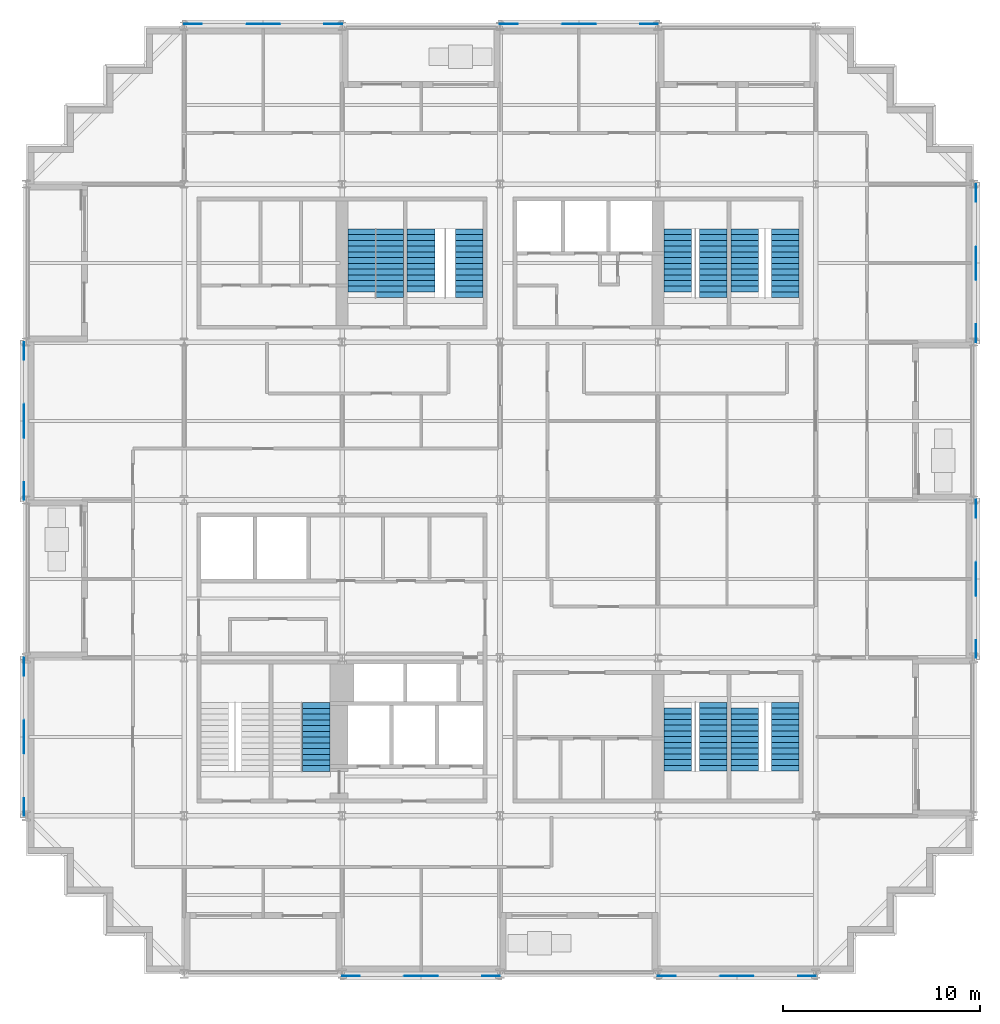
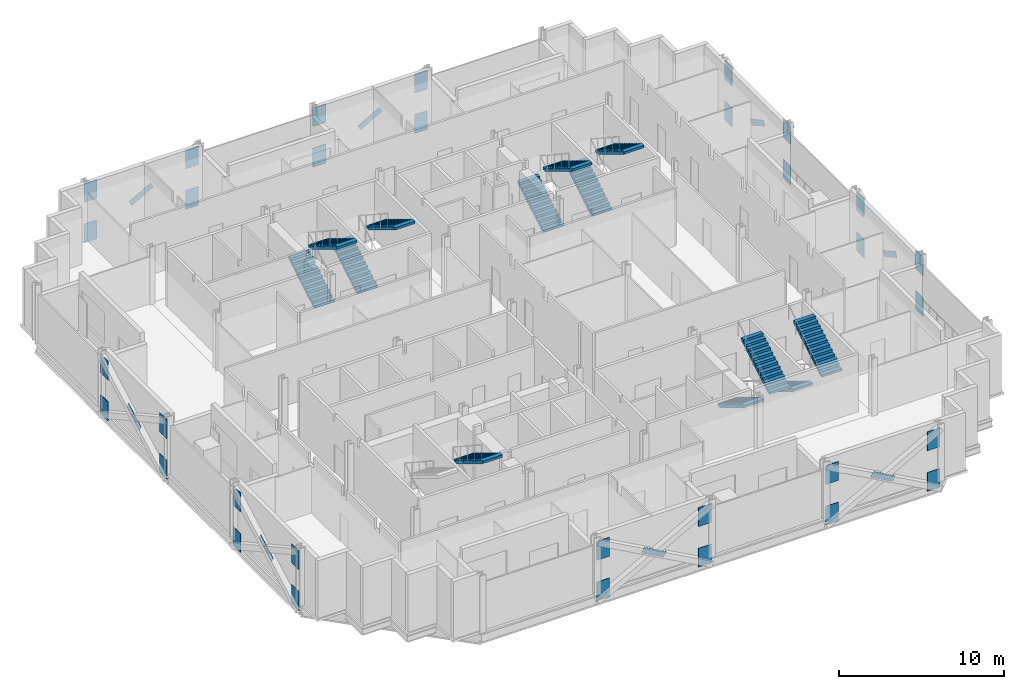
# One storey, part 12 of 15: 40 discrete accessories, 13 stair flights, 7 elements without a shape of their own.
"""IFC4 building model written with IfcOpenShell, lengths in metres."""

from ifc_helpers import new_model, si_unit, direction, frame, origin, origin_2d, place, context, subcontext, project, spatial, polyline, rectangle, outline, extrude, material, material_profile, profile_set, type_object, element, aggregate, save


model = new_model("IFC4")

# Units and contexts
model_context = context("Model", 3, precision=1e-05, world=origin(), true_north=direction((0.0, 1.0)))
body_context = subcontext(model_context, "Body", "Model", "MODEL_VIEW")
ifc_project = project(units=[si_unit("LENGTHUNIT", "METRE"), si_unit("AREAUNIT", "SQUARE_METRE"), si_unit("VOLUMEUNIT", "CUBIC_METRE"), si_unit("PLANEANGLEUNIT", "RADIAN"), si_unit("MASSUNIT", "GRAM", prefix="KILO")], contexts=[model_context])

# Site, building, storey
site_placement = place(None, origin())
site = spatial("IfcSite", under=ifc_project, at=site_placement, CompositionType="ELEMENT")
building_placement = place(site_placement, origin())
building = spatial("IfcBuilding", under=site, at=building_placement, Name="Immortelle Media Tower", CompositionType="ELEMENT")
storey_placement = place(building_placement, frame((0.0, 0.0, 105.199951171875)))
storey = spatial("IfcBuildingStorey", under=building, at=storey_placement, Name="L20", CompositionType="ELEMENT", Elevation=105.199951171875)

# Stair, stair flight
ifc_material_1 = material(Name="Steel ASTM A992 Gr 50", Category="steel")
stair_type = type_object("IfcStairType", Name="Stair with flights", PredefinedType="DOUBLE_RETURN_STAIR", material=ifc_material_1)
stair_1_placement = place(storey_placement, origin())
stair_1 = element("IfcStair", 1, at=stair_1_placement, inside=storey, type_object=stair_type, Name="Exit stair SW2", PredefinedType="DOUBLE_RETURN_STAIR")
stair_flight_type = type_object("IfcStairFlightType", Name="Stair flight 1400", PredefinedType="STRAIGHT", material=ifc_material_1)
stair_flight_1_placement = place(storey_placement, frame((14.699951171875, 13.72998046875, 2.112060546875), z_axis=(0.0, 0.0, 1.0), x_axis=(0.0, -1.0, 0.0)))
stair_flight_1 = element("IfcStairFlight", 2, at=stair_flight_1_placement, type_object=stair_flight_type, Name="ST SW2 flight 2", NumberOfRisers=13, NumberOfTreads=12, PredefinedType="STRAIGHT", RiserHeight=0.176, TreadLength=0.29, context=body_context, shape_type="SweptSolid", body=[
    extrude(outline(polyline([(0.0, 0.0), (0.0, 0.176025390625), (0.2900390625, 0.176025390625), (0.2900390625, 0.35205078125), (0.580078125, 0.35205078125), (0.580078125, 0.528076171875), (0.8701171875, 0.528076171875), (0.8701171875, 0.7041015625), (1.159912109375, 0.7041015625), (1.159912109375, 0.8798828125), (1.449951171875, 0.8798828125), (1.449951171875, 1.055908203125), (1.739990234375, 1.055908203125), (1.739990234375, 1.23193359375), (2.030029296875, 1.23193359375), (2.030029296875, 1.407958984375), (2.320068359375, 1.407958984375), (2.320068359375, 1.583984375), (2.610107421875, 1.583984375), (2.610107421875, 1.760009765625), (2.89990234375, 1.760009765625), (2.89990234375, 1.93603515625), (3.18994140625, 1.93603515625), (3.18994140625, 2.112060546875), (3.47998046875, 2.112060546875), (3.47998046875, 2.2880859375), (3.47998046875, 1.936767578125), (0.288818359375, 0.0), (0.0, 0.0)])), frame((0.0, 0.699951171875, 0.0), z_axis=(0.0, -1.0, 0.0), x_axis=(1.0, 0.0, 0.0)), (0.0, 0.0, 1.0), 1.39990234375),
])
aggregate(stair_1, [stair_flight_1])

# Stair, stair flights
stair_2_placement = place(storey_placement, origin())
stair_2 = element("IfcStair", 3, at=stair_2_placement, inside=storey, type_object=stair_type, Name="Exit stair SE1", PredefinedType="DOUBLE_RETURN_STAIR")
stair_flight_2_placement = place(storey_placement, frame((33.0, 13.4599609375, 0.0), z_axis=(0.0, 0.0, 1.0), x_axis=(0.0, -1.0, 0.0)))
stair_flight_2 = element("IfcStairFlight", 4, at=stair_flight_2_placement, type_object=stair_flight_type, Name="ST SE1 flight 1", NumberOfRisers=12, NumberOfTreads=11, PredefinedType="STRAIGHT", RiserHeight=0.176, TreadLength=0.29, context=body_context, shape_type="SweptSolid", body=[
    extrude(outline(polyline([(0.0, 0.0), (0.0, 0.176025390625), (0.2900390625, 0.176025390625), (0.2900390625, 0.35205078125), (0.580078125, 0.35205078125), (0.580078125, 0.528076171875), (0.8701171875, 0.528076171875), (0.8701171875, 0.7041015625), (1.159912109375, 0.7041015625), (1.159912109375, 0.8798828125), (1.449951171875, 0.8798828125), (1.449951171875, 1.055908203125), (1.739990234375, 1.055908203125), (1.739990234375, 1.23193359375), (2.030029296875, 1.23193359375), (2.030029296875, 1.407958984375), (2.320068359375, 1.407958984375), (2.320068359375, 1.583984375), (2.610107421875, 1.583984375), (2.610107421875, 1.760009765625), (2.89990234375, 1.760009765625), (2.89990234375, 1.93603515625), (3.18994140625, 1.93603515625), (3.18994140625, 2.112060546875), (3.18994140625, 1.7607421875), (0.288818359375, 0.0), (0.0, 0.0)])), frame((0.0, 0.699951171875, 0.0), z_axis=(0.0, -1.0, 0.0), x_axis=(1.0, 0.0, 0.0)), (0.0, 0.0, 1.0), 1.39990234375),
])
stair_flight_3_placement = place(storey_placement, frame((34.800048828125, 10.27001953125, 2.112060546875), z_axis=(0.0, 0.0, 1.0), x_axis=(0.0, 1.0, 0.0)))
stair_flight_3 = element("IfcStairFlight", 5, at=stair_flight_3_placement, type_object=stair_flight_type, Name="ST SE1 flight 2", NumberOfRisers=13, NumberOfTreads=12, PredefinedType="STRAIGHT", RiserHeight=0.176, TreadLength=0.29, context=body_context, shape_type="SweptSolid", body=[
    extrude(outline(polyline([(0.0, 0.0), (0.0, 0.176025390625), (0.2900390625, 0.176025390625), (0.2900390625, 0.35205078125), (0.580078125, 0.35205078125), (0.580078125, 0.528076171875), (0.8701171875, 0.528076171875), (0.8701171875, 0.7041015625), (1.159912109375, 0.7041015625), (1.159912109375, 0.8798828125), (1.449951171875, 0.8798828125), (1.449951171875, 1.055908203125), (1.739990234375, 1.055908203125), (1.739990234375, 1.23193359375), (2.030029296875, 1.23193359375), (2.030029296875, 1.407958984375), (2.320068359375, 1.407958984375), (2.320068359375, 1.583984375), (2.610107421875, 1.583984375), (2.610107421875, 1.760009765625), (2.89990234375, 1.760009765625), (2.89990234375, 1.93603515625), (3.18994140625, 1.93603515625), (3.18994140625, 2.112060546875), (3.47998046875, 2.112060546875), (3.47998046875, 2.2880859375), (3.47998046875, 1.936767578125), (0.288818359375, 0.0), (0.0, 0.0)])), frame((0.0, 0.699951171875, 0.0), z_axis=(0.0, -1.0, 0.0), x_axis=(1.0, 0.0, 0.0)), (0.0, 0.0, 1.0), 1.39990234375),
])
aggregate(stair_2, [stair_flight_2, stair_flight_3])

stair_3_placement = place(storey_placement, origin())
stair_3 = element("IfcStair", 6, at=stair_3_placement, inside=storey, type_object=stair_type, Name="Exit stair SE2", PredefinedType="DOUBLE_RETURN_STAIR")
stair_flight_4_placement = place(storey_placement, frame((36.39990234375, 13.4599609375, 0.0), z_axis=(0.0, 0.0, 1.0), x_axis=(0.0, -1.0, 0.0)))
stair_flight_4 = element("IfcStairFlight", 7, at=stair_flight_4_placement, type_object=stair_flight_type, Name="ST SE2 flight 1", NumberOfRisers=12, NumberOfTreads=11, PredefinedType="STRAIGHT", RiserHeight=0.176, TreadLength=0.29, context=body_context, shape_type="SweptSolid", body=[
    extrude(outline(polyline([(0.0, 0.0), (0.0, 0.176025390625), (0.2900390625, 0.176025390625), (0.2900390625, 0.35205078125), (0.580078125, 0.35205078125), (0.580078125, 0.528076171875), (0.8701171875, 0.528076171875), (0.8701171875, 0.7041015625), (1.159912109375, 0.7041015625), (1.159912109375, 0.8798828125), (1.449951171875, 0.8798828125), (1.449951171875, 1.055908203125), (1.739990234375, 1.055908203125), (1.739990234375, 1.23193359375), (2.030029296875, 1.23193359375), (2.030029296875, 1.407958984375), (2.320068359375, 1.407958984375), (2.320068359375, 1.583984375), (2.610107421875, 1.583984375), (2.610107421875, 1.760009765625), (2.89990234375, 1.760009765625), (2.89990234375, 1.93603515625), (3.18994140625, 1.93603515625), (3.18994140625, 2.112060546875), (3.18994140625, 1.7607421875), (0.288818359375, 0.0), (0.0, 0.0)])), frame((0.0, 0.699951171875, 0.0), z_axis=(0.0, -1.0, 0.0), x_axis=(1.0, 0.0, 0.0)), (0.0, 0.0, 1.0), 1.39990234375),
])
stair_flight_5_placement = place(storey_placement, frame((38.449951171875, 10.27001953125, 2.112060546875), z_axis=(0.0, 0.0, 1.0), x_axis=(0.0, 1.0, 0.0)))
stair_flight_5 = element("IfcStairFlight", 8, at=stair_flight_5_placement, type_object=stair_flight_type, Name="ST SE2 flight 2", NumberOfRisers=13, NumberOfTreads=12, PredefinedType="STRAIGHT", RiserHeight=0.176, TreadLength=0.29, context=body_context, shape_type="SweptSolid", body=[
    extrude(outline(polyline([(0.0, 0.0), (0.0, 0.176025390625), (0.2900390625, 0.176025390625), (0.2900390625, 0.35205078125), (0.580078125, 0.35205078125), (0.580078125, 0.528076171875), (0.8701171875, 0.528076171875), (0.8701171875, 0.7041015625), (1.159912109375, 0.7041015625), (1.159912109375, 0.8798828125), (1.449951171875, 0.8798828125), (1.449951171875, 1.055908203125), (1.739990234375, 1.055908203125), (1.739990234375, 1.23193359375), (2.030029296875, 1.23193359375), (2.030029296875, 1.407958984375), (2.320068359375, 1.407958984375), (2.320068359375, 1.583984375), (2.610107421875, 1.583984375), (2.610107421875, 1.760009765625), (2.89990234375, 1.760009765625), (2.89990234375, 1.93603515625), (3.18994140625, 1.93603515625), (3.18994140625, 2.112060546875), (3.47998046875, 2.112060546875), (3.47998046875, 2.2880859375), (3.47998046875, 1.936767578125), (0.288818359375, 0.0), (0.0, 0.0)])), frame((0.0, 0.699951171875, 0.0), z_axis=(0.0, -1.0, 0.0), x_axis=(1.0, 0.0, 0.0)), (0.0, 0.0, 1.0), 1.39990234375),
])
aggregate(stair_3, [stair_flight_4, stair_flight_5])

stair_4_placement = place(storey_placement, origin())
stair_4 = element("IfcStair", 9, at=stair_4_placement, inside=storey, type_object=stair_type, Name="Exit stair NW1", PredefinedType="DOUBLE_RETURN_STAIR")
stair_flight_6_placement = place(storey_placement, frame((17.0, 34.5400390625, 0.0), z_axis=(0.0, 0.0, 1.0), x_axis=(0.0, 1.0, 0.0)))
stair_flight_6 = element("IfcStairFlight", 10, at=stair_flight_6_placement, type_object=stair_flight_type, Name="ST NW1 flight 1", NumberOfRisers=12, NumberOfTreads=11, PredefinedType="STRAIGHT", RiserHeight=0.176, TreadLength=0.29, context=body_context, shape_type="SweptSolid", body=[
    extrude(outline(polyline([(0.0, 0.0), (0.0, 0.176025390625), (0.2900390625, 0.176025390625), (0.2900390625, 0.35205078125), (0.580078125, 0.35205078125), (0.580078125, 0.528076171875), (0.8701171875, 0.528076171875), (0.8701171875, 0.7041015625), (1.159912109375, 0.7041015625), (1.159912109375, 0.8798828125), (1.449951171875, 0.8798828125), (1.449951171875, 1.055908203125), (1.739990234375, 1.055908203125), (1.739990234375, 1.23193359375), (2.030029296875, 1.23193359375), (2.030029296875, 1.407958984375), (2.320068359375, 1.407958984375), (2.320068359375, 1.583984375), (2.610107421875, 1.583984375), (2.610107421875, 1.760009765625), (2.89990234375, 1.760009765625), (2.89990234375, 1.93603515625), (3.18994140625, 1.93603515625), (3.18994140625, 2.112060546875), (3.18994140625, 1.7607421875), (0.288818359375, 0.0), (0.0, 0.0)])), frame((0.0, 0.699951171875, 0.0), z_axis=(0.0, -1.0, 0.0), x_axis=(1.0, 0.0, 0.0)), (0.0, 0.0, 1.0), 1.39990234375),
])
stair_flight_7_placement = place(storey_placement, frame((18.39990234375, 37.72998046875, 2.112060546875), z_axis=(0.0, 0.0, 1.0), x_axis=(0.0, -1.0, 0.0)))
stair_flight_7 = element("IfcStairFlight", 11, at=stair_flight_7_placement, type_object=stair_flight_type, Name="ST NW1 flight 2", NumberOfRisers=13, NumberOfTreads=12, PredefinedType="STRAIGHT", RiserHeight=0.176, TreadLength=0.29, context=body_context, shape_type="SweptSolid", body=[
    extrude(outline(polyline([(0.0, 0.0), (0.0, 0.176025390625), (0.2900390625, 0.176025390625), (0.2900390625, 0.35205078125), (0.580078125, 0.35205078125), (0.580078125, 0.528076171875), (0.8701171875, 0.528076171875), (0.8701171875, 0.7041015625), (1.159912109375, 0.7041015625), (1.159912109375, 0.8798828125), (1.449951171875, 0.8798828125), (1.449951171875, 1.055908203125), (1.739990234375, 1.055908203125), (1.739990234375, 1.23193359375), (2.030029296875, 1.23193359375), (2.030029296875, 1.407958984375), (2.320068359375, 1.407958984375), (2.320068359375, 1.583984375), (2.610107421875, 1.583984375), (2.610107421875, 1.760009765625), (2.89990234375, 1.760009765625), (2.89990234375, 1.93603515625), (3.18994140625, 1.93603515625), (3.18994140625, 2.112060546875), (3.47998046875, 2.112060546875), (3.47998046875, 2.2880859375), (3.47998046875, 1.936767578125), (0.288818359375, 0.0), (0.0, 0.0)])), frame((0.0, 0.699951171875, 0.0), z_axis=(0.0, -1.0, 0.0), x_axis=(1.0, 0.0, 0.0)), (0.0, 0.0, 1.0), 1.39990234375),
])
aggregate(stair_4, [stair_flight_6, stair_flight_7])

stair_5_placement = place(storey_placement, origin())
stair_5 = element("IfcStair", 12, at=stair_5_placement, inside=storey, type_object=stair_type, Name="Exit stair NW2", PredefinedType="DOUBLE_RETURN_STAIR")
stair_flight_8_placement = place(storey_placement, frame((20.0, 34.5400390625, 0.0), z_axis=(0.0, 0.0, 1.0), x_axis=(0.0, 1.0, 0.0)))
stair_flight_8 = element("IfcStairFlight", 13, at=stair_flight_8_placement, type_object=stair_flight_type, Name="ST NW2 flight 1", NumberOfRisers=12, NumberOfTreads=11, PredefinedType="STRAIGHT", RiserHeight=0.176, TreadLength=0.29, context=body_context, shape_type="SweptSolid", body=[
    extrude(outline(polyline([(0.0, 0.0), (0.0, 0.176025390625), (0.2900390625, 0.176025390625), (0.2900390625, 0.35205078125), (0.580078125, 0.35205078125), (0.580078125, 0.528076171875), (0.8701171875, 0.528076171875), (0.8701171875, 0.7041015625), (1.159912109375, 0.7041015625), (1.159912109375, 0.8798828125), (1.449951171875, 0.8798828125), (1.449951171875, 1.055908203125), (1.739990234375, 1.055908203125), (1.739990234375, 1.23193359375), (2.030029296875, 1.23193359375), (2.030029296875, 1.407958984375), (2.320068359375, 1.407958984375), (2.320068359375, 1.583984375), (2.610107421875, 1.583984375), (2.610107421875, 1.760009765625), (2.89990234375, 1.760009765625), (2.89990234375, 1.93603515625), (3.18994140625, 1.93603515625), (3.18994140625, 2.112060546875), (3.18994140625, 1.7607421875), (0.288818359375, 0.0), (0.0, 0.0)])), frame((0.0, 0.699951171875, 0.0), z_axis=(0.0, -1.0, 0.0), x_axis=(1.0, 0.0, 0.0)), (0.0, 0.0, 1.0), 1.39990234375),
])
stair_flight_9_placement = place(storey_placement, frame((22.449951171875, 37.72998046875, 2.112060546875), z_axis=(0.0, 0.0, 1.0), x_axis=(0.0, -1.0, 0.0)))
stair_flight_9 = element("IfcStairFlight", 14, at=stair_flight_9_placement, type_object=stair_flight_type, Name="ST NW2 flight 2", NumberOfRisers=13, NumberOfTreads=12, PredefinedType="STRAIGHT", RiserHeight=0.176, TreadLength=0.29, context=body_context, shape_type="SweptSolid", body=[
    extrude(outline(polyline([(0.0, 0.0), (0.0, 0.176025390625), (0.2900390625, 0.176025390625), (0.2900390625, 0.35205078125), (0.580078125, 0.35205078125), (0.580078125, 0.528076171875), (0.8701171875, 0.528076171875), (0.8701171875, 0.7041015625), (1.159912109375, 0.7041015625), (1.159912109375, 0.8798828125), (1.449951171875, 0.8798828125), (1.449951171875, 1.055908203125), (1.739990234375, 1.055908203125), (1.739990234375, 1.23193359375), (2.030029296875, 1.23193359375), (2.030029296875, 1.407958984375), (2.320068359375, 1.407958984375), (2.320068359375, 1.583984375), (2.610107421875, 1.583984375), (2.610107421875, 1.760009765625), (2.89990234375, 1.760009765625), (2.89990234375, 1.93603515625), (3.18994140625, 1.93603515625), (3.18994140625, 2.112060546875), (3.47998046875, 2.112060546875), (3.47998046875, 2.2880859375), (3.47998046875, 1.936767578125), (0.288818359375, 0.0), (0.0, 0.0)])), frame((0.0, 0.699951171875, 0.0), z_axis=(0.0, -1.0, 0.0), x_axis=(1.0, 0.0, 0.0)), (0.0, 0.0, 1.0), 1.39990234375),
])
aggregate(stair_5, [stair_flight_8, stair_flight_9])

stair_6_placement = place(storey_placement, origin())
stair_6 = element("IfcStair", 15, at=stair_6_placement, inside=storey, type_object=stair_type, Name="Exit stair NE1", PredefinedType="DOUBLE_RETURN_STAIR")
stair_flight_10_placement = place(storey_placement, frame((33.0, 34.5400390625, 0.0), z_axis=(0.0, 0.0, 1.0), x_axis=(0.0, 1.0, 0.0)))
stair_flight_10 = element("IfcStairFlight", 16, at=stair_flight_10_placement, type_object=stair_flight_type, Name="ST NE1 flight 1", NumberOfRisers=12, NumberOfTreads=11, PredefinedType="STRAIGHT", RiserHeight=0.176, TreadLength=0.29, context=body_context, shape_type="SweptSolid", body=[
    extrude(outline(polyline([(0.0, 0.0), (0.0, 0.176025390625), (0.2900390625, 0.176025390625), (0.2900390625, 0.35205078125), (0.580078125, 0.35205078125), (0.580078125, 0.528076171875), (0.8701171875, 0.528076171875), (0.8701171875, 0.7041015625), (1.159912109375, 0.7041015625), (1.159912109375, 0.8798828125), (1.449951171875, 0.8798828125), (1.449951171875, 1.055908203125), (1.739990234375, 1.055908203125), (1.739990234375, 1.23193359375), (2.030029296875, 1.23193359375), (2.030029296875, 1.407958984375), (2.320068359375, 1.407958984375), (2.320068359375, 1.583984375), (2.610107421875, 1.583984375), (2.610107421875, 1.760009765625), (2.89990234375, 1.760009765625), (2.89990234375, 1.93603515625), (3.18994140625, 1.93603515625), (3.18994140625, 2.112060546875), (3.18994140625, 1.7607421875), (0.288818359375, 0.0), (0.0, 0.0)])), frame((0.0, 0.699951171875, 0.0), z_axis=(0.0, -1.0, 0.0), x_axis=(1.0, 0.0, 0.0)), (0.0, 0.0, 1.0), 1.39990234375),
])
stair_flight_11_placement = place(storey_placement, frame((34.800048828125, 37.72998046875, 2.112060546875), z_axis=(0.0, 0.0, 1.0), x_axis=(0.0, -1.0, 0.0)))
stair_flight_11 = element("IfcStairFlight", 17, at=stair_flight_11_placement, type_object=stair_flight_type, Name="ST NE1 flight 2", NumberOfRisers=13, NumberOfTreads=12, PredefinedType="STRAIGHT", RiserHeight=0.176, TreadLength=0.29, context=body_context, shape_type="SweptSolid", body=[
    extrude(outline(polyline([(0.0, 0.0), (0.0, 0.176025390625), (0.2900390625, 0.176025390625), (0.2900390625, 0.35205078125), (0.580078125, 0.35205078125), (0.580078125, 0.528076171875), (0.8701171875, 0.528076171875), (0.8701171875, 0.7041015625), (1.159912109375, 0.7041015625), (1.159912109375, 0.8798828125), (1.449951171875, 0.8798828125), (1.449951171875, 1.055908203125), (1.739990234375, 1.055908203125), (1.739990234375, 1.23193359375), (2.030029296875, 1.23193359375), (2.030029296875, 1.407958984375), (2.320068359375, 1.407958984375), (2.320068359375, 1.583984375), (2.610107421875, 1.583984375), (2.610107421875, 1.760009765625), (2.89990234375, 1.760009765625), (2.89990234375, 1.93603515625), (3.18994140625, 1.93603515625), (3.18994140625, 2.112060546875), (3.47998046875, 2.112060546875), (3.47998046875, 2.2880859375), (3.47998046875, 1.936767578125), (0.288818359375, 0.0), (0.0, 0.0)])), frame((0.0, 0.699951171875, 0.0), z_axis=(0.0, -1.0, 0.0), x_axis=(1.0, 0.0, 0.0)), (0.0, 0.0, 1.0), 1.39990234375),
])
aggregate(stair_6, [stair_flight_10, stair_flight_11])

stair_7_placement = place(storey_placement, origin())
stair_7 = element("IfcStair", 18, at=stair_7_placement, inside=storey, type_object=stair_type, Name="Exit stair NE2", PredefinedType="DOUBLE_RETURN_STAIR")
stair_flight_12_placement = place(storey_placement, frame((36.39990234375, 34.5400390625, 0.0), z_axis=(0.0, 0.0, 1.0), x_axis=(0.0, 1.0, 0.0)))
stair_flight_12 = element("IfcStairFlight", 19, at=stair_flight_12_placement, type_object=stair_flight_type, Name="ST NE2 flight 1", NumberOfRisers=12, NumberOfTreads=11, PredefinedType="STRAIGHT", RiserHeight=0.176, TreadLength=0.29, context=body_context, shape_type="SweptSolid", body=[
    extrude(outline(polyline([(0.0, 0.0), (0.0, 0.176025390625), (0.2900390625, 0.176025390625), (0.2900390625, 0.35205078125), (0.580078125, 0.35205078125), (0.580078125, 0.528076171875), (0.8701171875, 0.528076171875), (0.8701171875, 0.7041015625), (1.159912109375, 0.7041015625), (1.159912109375, 0.8798828125), (1.449951171875, 0.8798828125), (1.449951171875, 1.055908203125), (1.739990234375, 1.055908203125), (1.739990234375, 1.23193359375), (2.030029296875, 1.23193359375), (2.030029296875, 1.407958984375), (2.320068359375, 1.407958984375), (2.320068359375, 1.583984375), (2.610107421875, 1.583984375), (2.610107421875, 1.760009765625), (2.89990234375, 1.760009765625), (2.89990234375, 1.93603515625), (3.18994140625, 1.93603515625), (3.18994140625, 2.112060546875), (3.18994140625, 1.7607421875), (0.288818359375, 0.0), (0.0, 0.0)])), frame((0.0, 0.699951171875, 0.0), z_axis=(0.0, -1.0, 0.0), x_axis=(1.0, 0.0, 0.0)), (0.0, 0.0, 1.0), 1.39990234375),
])
stair_flight_13_placement = place(storey_placement, frame((38.449951171875, 37.72998046875, 2.112060546875), z_axis=(0.0, 0.0, 1.0), x_axis=(0.0, -1.0, 0.0)))
stair_flight_13 = element("IfcStairFlight", 20, at=stair_flight_13_placement, type_object=stair_flight_type, Name="ST NE2 flight 2", NumberOfRisers=13, NumberOfTreads=12, PredefinedType="STRAIGHT", RiserHeight=0.176, TreadLength=0.29, context=body_context, shape_type="SweptSolid", body=[
    extrude(outline(polyline([(0.0, 0.0), (0.0, 0.176025390625), (0.2900390625, 0.176025390625), (0.2900390625, 0.35205078125), (0.580078125, 0.35205078125), (0.580078125, 0.528076171875), (0.8701171875, 0.528076171875), (0.8701171875, 0.7041015625), (1.159912109375, 0.7041015625), (1.159912109375, 0.8798828125), (1.449951171875, 0.8798828125), (1.449951171875, 1.055908203125), (1.739990234375, 1.055908203125), (1.739990234375, 1.23193359375), (2.030029296875, 1.23193359375), (2.030029296875, 1.407958984375), (2.320068359375, 1.407958984375), (2.320068359375, 1.583984375), (2.610107421875, 1.583984375), (2.610107421875, 1.760009765625), (2.89990234375, 1.760009765625), (2.89990234375, 1.93603515625), (3.18994140625, 1.93603515625), (3.18994140625, 2.112060546875), (3.47998046875, 2.112060546875), (3.47998046875, 2.2880859375), (3.47998046875, 1.936767578125), (0.288818359375, 0.0), (0.0, 0.0)])), frame((0.0, 0.699951171875, 0.0), z_axis=(0.0, -1.0, 0.0), x_axis=(1.0, 0.0, 0.0)), (0.0, 0.0, 1.0), 1.39990234375),
])
aggregate(stair_7, [stair_flight_12, stair_flight_13])

# Discrete accessories
ifc_material_2 = material(Name="Steel ASTM A572 Gr 50", Category="steel")
ifc_material_profile_1 = material_profile(ifc_material_2, rectangle(XDim=0.031982421875, YDim=0.406005859375, at=origin_2d()), Name="PL 32 x 406")
ifc_profile_set_1 = profile_set([ifc_material_profile_1], Name="Steel ASTM A572 Gr 50")
discrete_accessory_type_1 = type_object("IfcDiscreteAccessoryType", Name="Crossing plate XP-BR3 1750 x 406 x 32", PredefinedType="USERDEFINED", material=ifc_profile_set_1)
for number, where, z_axis, x_axis, name in (
    (21, (-0.113037109375, 28.7666015625, 2.125244140625), (0.0, -0.876215908677, -0.481918749772), (1.0, 0.0, 0.0), "Crossing plate XP-BR3 of Brace 1/D-E A and Brace 1/D-E B"),
    (22, (-0.113037109375, 12.7666015625, 2.125244140625), (0.0, -0.876215908677, -0.481918749772), (1.0, 0.0, 0.0), "Crossing plate XP-BR3 of Brace 1/B-C A and Brace 1/B-C B"),
    (23, (48.113037109375, 19.2333984375, 2.125244140625), (0.0, 0.876215908677, -0.481918749772), (-1.0, 0.0, 0.0), "Crossing plate XP-BR3 of Brace 7/C-D A and Brace 7/C-D B"),
    (24, (48.113037109375, 35.2333984375, 2.125244140625), (0.0, 0.876215908677, -0.481918749772), (-1.0, 0.0, 0.0), "Crossing plate XP-BR3 of Brace 7/E-F A and Brace 7/E-F B"),
    (25, (28.7666015625, 48.113037109375, 2.125244140625), (-0.876215908677, 0.0, -0.481918749772), (0.0, -1.0, 0.0), "Crossing plate XP-BR3 of Brace G/4-5 A and Brace G/4-5 B"),
    (26, (12.7666015625, 48.113037109375, 2.125244140625), (-0.876215908677, 0.0, -0.481918749772), (0.0, -1.0, 0.0), "Crossing plate XP-BR3 of Brace G/2-3 A and Brace G/2-3 B"),
    (27, (19.2333984375, -0.113037109375, 2.125244140625), (0.876215908677, 0.0, -0.481918749772), (0.0, 1.0, 0.0), "Crossing plate XP-BR3 of Brace A/3-4 A and Brace A/3-4 B"),
    (28, (35.2333984375, -0.113037109375, 2.125244140625), (0.876215908677, 0.0, -0.481918749772), (0.0, 1.0, 0.0), "Crossing plate XP-BR3 of Brace A/5-6 A and Brace A/5-6 B"),
):
    element("IfcDiscreteAccessory", number, at=place(storey_placement, frame(where, z_axis=z_axis, x_axis=x_axis)), inside=storey, type_object=discrete_accessory_type_1, Name=name, ObjectType="CROSSING PLATE", PredefinedType="USERDEFINED", context=body_context, shape_type="SweptSolid", body=[
        extrude(rectangle(XDim=0.031982421875, YDim=0.406005859375, at=origin_2d()), origin(), (0.0, 0.0, 1.0), 1.749755859375),
    ])
ifc_material_profile_2 = material_profile(ifc_material_2, rectangle(XDim=0.031982421875, YDim=1.39990234375, at=origin_2d()), Name="PL 32 x 1400")
ifc_profile_set_2 = profile_set([ifc_material_profile_2], Name="Steel ASTM A572 Gr 50")
discrete_accessory_type_2 = type_object("IfcDiscreteAccessoryType", Name="Gusset plate GP1 900 x 1400 x 32", PredefinedType="USERDEFINED", material=ifc_profile_set_2)
for number, where, z_axis, x_axis, name in (
    (29, (-0.113037109375, 32.0, 0.20361328125), (0.0, -1.0, 0.0), (1.0, 0.0, 0.0), "Gusset plate GP1, lower end of Brace 1/D-E A"),
    (30, (-0.113037109375, 24.0, 3.20361328125), (0.0, 1.0, 0.0), (-1.0, 0.0, 0.0), "Gusset plate GP1, upper end of Brace 1/D-E A"),
    (31, (-0.113037109375, 24.0, 0.20361328125), (0.0, 1.0, 0.0), (-1.0, 0.0, 0.0), "Gusset plate GP1, lower end of Brace 1/D-E B"),
    (32, (-0.113037109375, 32.0, 3.20361328125), (0.0, -1.0, 0.0), (1.0, 0.0, 0.0), "Gusset plate GP1, upper end of Brace 1/D-E B"),
    (33, (-0.113037109375, 16.0, 0.20361328125), (0.0, -1.0, 0.0), (1.0, 0.0, 0.0), "Gusset plate GP1, lower end of Brace 1/B-C A"),
    (34, (-0.113037109375, 8.0, 3.20361328125), (0.0, 1.0, 0.0), (-1.0, 0.0, 0.0), "Gusset plate GP1, upper end of Brace 1/B-C A"),
    (35, (-0.113037109375, 8.0, 0.20361328125), (0.0, 1.0, 0.0), (-1.0, 0.0, 0.0), "Gusset plate GP1, lower end of Brace 1/B-C B"),
    (36, (-0.113037109375, 16.0, 3.20361328125), (0.0, -1.0, 0.0), (1.0, 0.0, 0.0), "Gusset plate GP1, upper end of Brace 1/B-C B"),
    (37, (16.0, -0.113037109375, 0.20361328125), (1.0, 0.0, 0.0), (0.0, 1.0, 0.0), "Gusset plate GP1, lower end of Brace A/3-4 A"),
    (38, (24.0, -0.113037109375, 3.20361328125), (-1.0, 0.0, 0.0), (0.0, -1.0, 0.0), "Gusset plate GP1, upper end of Brace A/3-4 A"),
    (39, (24.0, -0.113037109375, 0.20361328125), (-1.0, 0.0, 0.0), (0.0, -1.0, 0.0), "Gusset plate GP1, lower end of Brace A/3-4 B"),
    (40, (16.0, -0.113037109375, 3.20361328125), (1.0, 0.0, 0.0), (0.0, 1.0, 0.0), "Gusset plate GP1, upper end of Brace A/3-4 B"),
    (41, (32.0, -0.113037109375, 0.20361328125), (1.0, 0.0, 0.0), (0.0, 1.0, 0.0), "Gusset plate GP1, lower end of Brace A/5-6 A"),
    (42, (40.0, -0.113037109375, 3.20361328125), (-1.0, 0.0, 0.0), (0.0, -1.0, 0.0), "Gusset plate GP1, upper end of Brace A/5-6 A"),
    (43, (40.0, -0.113037109375, 0.20361328125), (-1.0, 0.0, 0.0), (0.0, -1.0, 0.0), "Gusset plate GP1, lower end of Brace A/5-6 B"),
    (44, (32.0, -0.113037109375, 3.20361328125), (1.0, 0.0, 0.0), (0.0, 1.0, 0.0), "Gusset plate GP1, upper end of Brace A/5-6 B"),
    (45, (48.113037109375, 16.0, 0.20361328125), (0.0, 1.0, 0.0), (-1.0, 0.0, 0.0), "Gusset plate GP1, lower end of Brace 7/C-D A"),
    (46, (48.113037109375, 24.0, 3.20361328125), (0.0, -1.0, 0.0), (1.0, 0.0, 0.0), "Gusset plate GP1, upper end of Brace 7/C-D A"),
    (47, (48.113037109375, 24.0, 0.20361328125), (0.0, -1.0, 0.0), (1.0, 0.0, 0.0), "Gusset plate GP1, lower end of Brace 7/C-D B"),
    (48, (48.113037109375, 16.0, 3.20361328125), (0.0, 1.0, 0.0), (-1.0, 0.0, 0.0), "Gusset plate GP1, upper end of Brace 7/C-D B"),
    (49, (48.113037109375, 32.0, 0.20361328125), (0.0, 1.0, 0.0), (-1.0, 0.0, 0.0), "Gusset plate GP1, lower end of Brace 7/E-F A"),
    (50, (48.113037109375, 40.0, 3.20361328125), (0.0, -1.0, 0.0), (1.0, 0.0, 0.0), "Gusset plate GP1, upper end of Brace 7/E-F A"),
    (51, (48.113037109375, 40.0, 0.20361328125), (0.0, -1.0, 0.0), (1.0, 0.0, 0.0), "Gusset plate GP1, lower end of Brace 7/E-F B"),
    (52, (48.113037109375, 32.0, 3.20361328125), (0.0, 1.0, 0.0), (-1.0, 0.0, 0.0), "Gusset plate GP1, upper end of Brace 7/E-F B"),
    (53, (32.0, 48.113037109375, 0.20361328125), (-1.0, 0.0, 0.0), (0.0, -1.0, 0.0), "Gusset plate GP1, lower end of Brace G/4-5 A"),
    (54, (24.0, 48.113037109375, 3.20361328125), (1.0, 0.0, 0.0), (0.0, 1.0, 0.0), "Gusset plate GP1, upper end of Brace G/4-5 A"),
    (55, (24.0, 48.113037109375, 0.20361328125), (1.0, 0.0, 0.0), (0.0, 1.0, 0.0), "Gusset plate GP1, lower end of Brace G/4-5 B"),
    (56, (32.0, 48.113037109375, 3.20361328125), (-1.0, 0.0, 0.0), (0.0, -1.0, 0.0), "Gusset plate GP1, upper end of Brace G/4-5 B"),
    (57, (16.0, 48.113037109375, 0.20361328125), (-1.0, 0.0, 0.0), (0.0, -1.0, 0.0), "Gusset plate GP1, lower end of Brace G/2-3 A"),
    (58, (8.0, 48.113037109375, 3.20361328125), (1.0, 0.0, 0.0), (0.0, 1.0, 0.0), "Gusset plate GP1, upper end of Brace G/2-3 A"),
    (59, (8.0, 48.113037109375, 0.20361328125), (1.0, 0.0, 0.0), (0.0, 1.0, 0.0), "Gusset plate GP1, lower end of Brace G/2-3 B"),
    (60, (16.0, 48.113037109375, 3.20361328125), (-1.0, 0.0, 0.0), (0.0, -1.0, 0.0), "Gusset plate GP1, upper end of Brace G/2-3 B"),
):
    element("IfcDiscreteAccessory", number, at=place(storey_placement, frame(where, z_axis=z_axis, x_axis=x_axis)), inside=storey, type_object=discrete_accessory_type_2, Name=name, ObjectType="GUSSET PLATE", PredefinedType="USERDEFINED", context=body_context, shape_type="SweptSolid", body=[
        extrude(rectangle(XDim=0.031982421875, YDim=1.39990234375, at=origin_2d()), origin(), (0.0, 0.0, 1.0), 0.89990234375),
    ])

save(model, "model.ifc")
